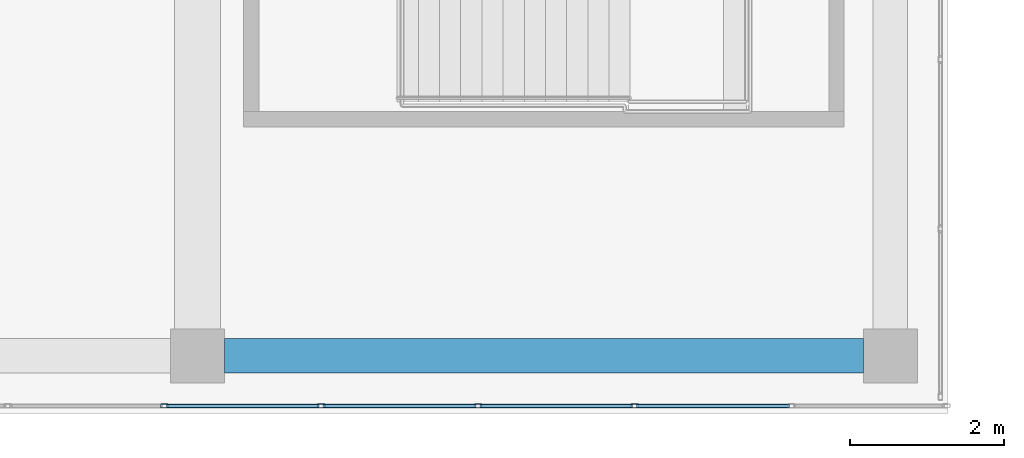
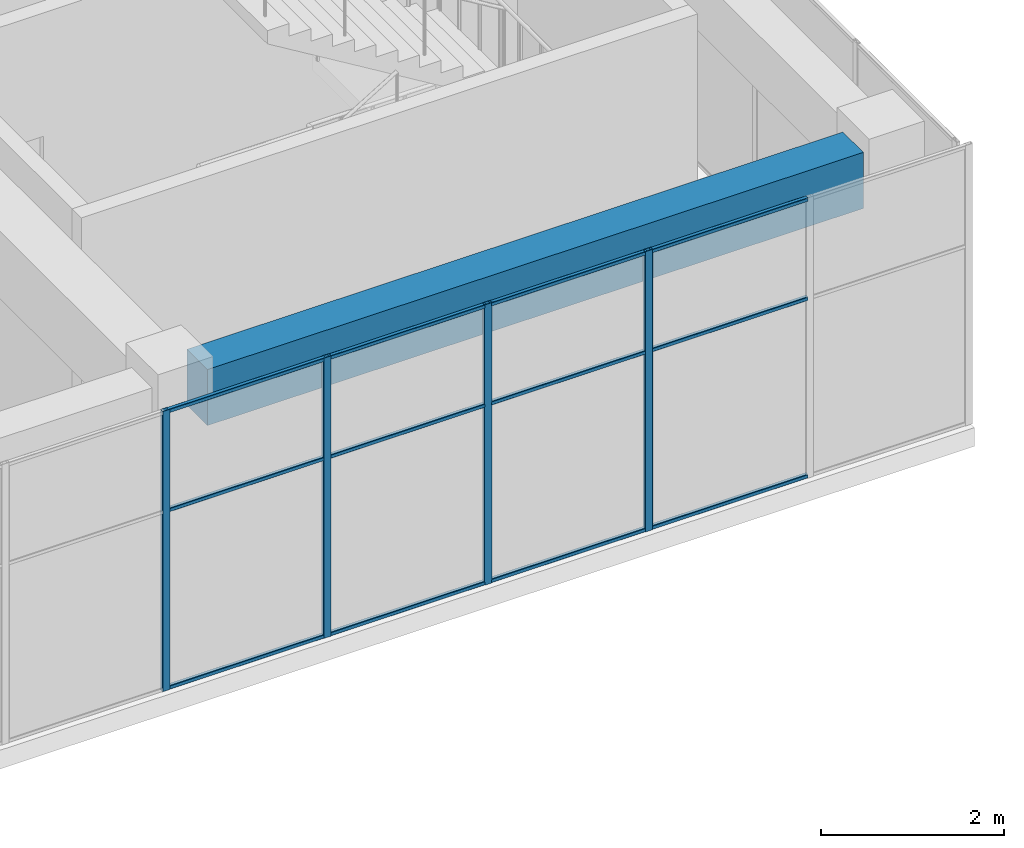
# One storey, part 18 of 43: 16 members, 1 beam, 1 element without a shape of its own.
"""IFC4 building model written with IfcOpenShell, lengths in metres."""

import ifcopenshell
import ifcopenshell.guid

model = None  # the IFC model being written
_history = None  # IfcOwnerHistory: only IFC2X3 demands one
_inside = {}  # id of a spatial element -> (the spatial element, [elements in it])
_under = {}  # id of a project, library or spatial element -> (it, [spatial elements below it])
_declared = {}  # id of a project -> (the project, [libraries it declares])
_typed = {}  # id of a type object -> (the type object, [elements of that type])
_made_of = {}  # id of a material, layer set ... -> (it, [elements and type objects made of it])


def new_model(schema):
    """Start an empty IFC model of exactly this schema.

    Asked for "IFC4X3", IfcOpenShell would pick the latest addendum, in which some entities
    have other attributes; the version numbers below select the first issue.
    IFC2X3 requires an IfcOwnerHistory on every rooted entity: one is made here for all.
    """
    global model, _history
    if schema == "IFC4X3":
        model = ifcopenshell.file(schema_version=(4, 3, 0, 0))
    else:
        model = ifcopenshell.file(schema=schema)
    _inside.clear()
    _under.clear()
    _declared.clear()
    _typed.clear()
    _made_of.clear()
    _history = None
    if model.schema == "IFC2X3":
        org = make("IfcOrganization", Name="unknown")
        user = make(
            "IfcPersonAndOrganization",
            ThePerson=make("IfcPerson", FamilyName="unknown"),
            TheOrganization=org,
        )
        app = make(
            "IfcApplication",
            ApplicationDeveloper=org,
            Version="unknown",
            ApplicationFullName="unknown",
            ApplicationIdentifier="unknown",
        )
        _history = make(
            "IfcOwnerHistory",
            OwningUser=user,
            OwningApplication=app,
            ChangeAction="ADDED",
            CreationDate=0,
        )
    return model


def make(cls, **values):
    """One entity of the class cls with the attributes given. An attribute that is None is left unset."""
    return model.create_entity(
        cls, **{name: value for name, value in values.items() if value is not None}
    )


def rooted(cls, **values):
    """An entity with a GlobalId (a new one), such as an element, a storey or a relation."""
    return make(cls, GlobalId=ifcopenshell.guid.new(), OwnerHistory=_history, **values)


def si_unit(unit_type, name, prefix=None):
    """IfcSIUnit, for example si_unit("LENGTHUNIT", "METRE", prefix="MILLI")."""
    return make("IfcSIUnit", UnitType=unit_type, Prefix=prefix, Name=name)


def assignment(units):
    """IfcUnitAssignment: the units of a project."""
    return None if units is None else make("IfcUnitAssignment", Units=units)


def point(xyz):
    """IfcCartesianPoint."""
    return None if xyz is None else make("IfcCartesianPoint", Coordinates=xyz)


def direction(xyz):
    """IfcDirection."""
    return None if xyz is None else make("IfcDirection", DirectionRatios=xyz)


def frame(location, z_axis=None, x_axis=None):
    """IfcAxis2Placement3D, a coordinate frame: its origin and axes. An axis left out is left unset."""
    return make(
        "IfcAxis2Placement3D",
        Location=point(location),
        Axis=direction(z_axis),
        RefDirection=direction(x_axis),
    )


def frame_2d(location, x_axis=None):
    """IfcAxis2Placement2D, a coordinate frame in the plane: its origin and x axis."""
    return make(
        "IfcAxis2Placement2D", Location=point(location), RefDirection=direction(x_axis)
    )


def origin():
    """The frame at (0, 0, 0) with its axes left unset."""
    return frame((0.0, 0.0, 0.0))


def origin_2d():
    """The frame at (0, 0) in the plane with its x axis left unset."""
    return frame_2d((0.0, 0.0))


def place(relative_to, where):
    """IfcLocalPlacement: puts the frame where relative to a parent placement (None: the world)."""
    return make(
        "IfcLocalPlacement", PlacementRelTo=relative_to, RelativePlacement=where
    )


def context(
    kind, dimensions, precision=None, world=None, true_north=None, identifier=None
):
    """IfcGeometricRepresentationContext, for example the 3D "Model" context."""
    return make(
        "IfcGeometricRepresentationContext",
        ContextIdentifier=identifier,
        ContextType=kind,
        CoordinateSpaceDimension=dimensions,
        Precision=precision,
        WorldCoordinateSystem=world,
        TrueNorth=true_north,
    )


def subcontext(parent, identifier, kind, view, scale=None):
    """IfcGeometricRepresentationSubContext, for example "Body" below "Model"."""
    return make(
        "IfcGeometricRepresentationSubContext",
        ContextIdentifier=identifier,
        ContextType=kind,
        ParentContext=parent,
        TargetScale=scale,
        TargetView=view,
    )


def project(units=None, contexts=None):
    """IfcProject with its units and contexts."""
    return rooted(
        "IfcProject",
        Name="project",
        RepresentationContexts=contexts,
        UnitsInContext=assignment(units),
    )


def spatial(cls, under=None, at=None, **own):
    """A site, building, storey or space (cls), placed at a placement, below another one or the project."""
    s = rooted(cls, ObjectPlacement=at, **own)
    if under is not None:
        _under.setdefault(under.id(), (under, []))[1].append(s)
    return s


def profile(cls, at=None, kind="AREA", **sizes):
    """A parametric profile (cls). Its sizes go by their IFC names, for example OverallWidth=200.0."""
    return make(cls, ProfileType=kind, Position=at, **sizes)


def rectangle(**sizes):
    """IfcRectangleProfileDef."""
    return profile("IfcRectangleProfileDef", **sizes)


def hollow_rectangle(**sizes):
    """IfcRectangleHollowProfileDef."""
    return profile("IfcRectangleHollowProfileDef", **sizes)


def extrude(swept, where, along, depth):
    """IfcExtrudedAreaSolid: the profile swept, set in the frame where, extruded along a direction by depth."""
    return make(
        "IfcExtrudedAreaSolid",
        SweptArea=swept,
        Position=where,
        ExtrudedDirection=direction(along),
        Depth=depth,
    )


def shape(context_of_items, identifier, shape_type, items):
    """IfcShapeRepresentation: the items that make up one representation, for example the "Body"."""
    return make(
        "IfcShapeRepresentation",
        ContextOfItems=context_of_items,
        RepresentationIdentifier=identifier,
        RepresentationType=shape_type,
        Items=items,
    )


def material(Name=None, Category=None):
    """IfcMaterial."""
    return make("IfcMaterial", Name=Name, Category=Category)


def layer(
    of_material, thickness, ventilated=None, Name=None, Category=None, Priority=None
):
    """IfcMaterialLayer: one layer of a wall or slab, of a material (None: an air gap)."""
    return make(
        "IfcMaterialLayer",
        Material=of_material,
        LayerThickness=thickness,
        IsVentilated=ventilated,
        Name=Name,
        Category=Category,
        Priority=Priority,
    )


def layer_set(layers, Name=None):
    """IfcMaterialLayerSet."""
    return make("IfcMaterialLayerSet", MaterialLayers=layers, LayerSetName=Name)


def material_profile(
    of_material, cross_section, Name=None, Category=None, Priority=None
):
    """IfcMaterialProfile: a cross section and its material."""
    return make(
        "IfcMaterialProfile",
        Name=Name,
        Material=of_material,
        Profile=cross_section,
        Priority=Priority,
        Category=Category,
    )


def profile_set(profiles, Name=None, composite=None):
    """IfcMaterialProfileSet."""
    return make(
        "IfcMaterialProfileSet",
        Name=Name,
        MaterialProfiles=profiles,
        CompositeProfile=composite,
    )


def made_of(thing, what):
    """Note that an element or type object is made of a material, layer set ...; save() writes the relation."""
    if what is not None:
        _made_of.setdefault(what.id(), (what, []))[1].append(thing)
    return thing


def type_object(cls, material=None, **own):
    """A type object (cls), such as IfcWallType, which elements share."""
    return made_of(rooted(cls, **own), material)


def element(
    cls,
    number,
    at=None,
    inside=None,
    cuts=None,
    type_object=None,
    material=None,
    context=None,
    identifier="Body",
    shape_type=None,
    held_by="IfcProductDefinitionShape",
    body=None,
    shapes=None,
    **own,
):
    """One element of the class cls, such as IfcWall. Its Tag is "e" and its number.

    at: its placement. inside: the storey or other place that contains it. cuts: it is an
    opening in that element (IfcRelVoidsElement). A single representation is given by context,
    identifier, shape_type and body (its items); several are given by shapes. held_by: the class
    of the entity that holds the representations. save() writes the other relations.
    """
    e = rooted(cls, Tag="e%d" % number, ObjectPlacement=at, **own)
    if body is not None:
        shapes = [shape(context, identifier, shape_type, body)]
    if shapes is not None:
        e.Representation = make(held_by, Representations=shapes)
    if inside is not None:
        _inside.setdefault(inside.id(), (inside, []))[1].append(e)
    if cuts is not None:
        rooted(
            "IfcRelVoidsElement", RelatingBuildingElement=cuts, RelatedOpeningElement=e
        )
    if type_object is not None:
        _typed.setdefault(type_object.id(), (type_object, []))[1].append(e)
    return made_of(e, material)


def aggregate(whole, parts):
    """IfcRelAggregates: a whole, such as a stair, and the parts it consists of."""
    return rooted("IfcRelAggregates", RelatingObject=whole, RelatedObjects=parts)


def save(model, path):
    """Write the relations noted so far, then the file.

    IfcRelAggregates (storeys below a building ...), IfcRelContainedInSpatialStructure (elements
    in a storey), IfcRelDefinesByType, IfcRelAssociatesMaterial and IfcRelDeclares: one each for
    every whole, place, type object, material and project.
    """
    for whole, parts in _under.values():
        aggregate(whole, parts)
    for where, things in _inside.values():
        rooted(
            "IfcRelContainedInSpatialStructure",
            RelatedElements=things,
            RelatingStructure=where,
        )
    for kind, things in _typed.values():
        rooted("IfcRelDefinesByType", RelatedObjects=things, RelatingType=kind)
    for what, things in _made_of.values():
        rooted("IfcRelAssociatesMaterial", RelatedObjects=things, RelatingMaterial=what)
    for by, libraries in _declared.values():
        rooted("IfcRelDeclares", RelatingContext=by, RelatedDefinitions=libraries)
    model.write(path)


model = new_model("IFC4")

# Units and contexts
model_context = context("Model", 3, precision=1e-05, world=origin(), true_north=direction((0.0, 1.0)))
body_context = subcontext(model_context, "Body", "Model", "MODEL_VIEW")
ifc_project = project(units=[si_unit("LENGTHUNIT", "METRE"), si_unit("AREAUNIT", "SQUARE_METRE"), si_unit("VOLUMEUNIT", "CUBIC_METRE"), si_unit("PLANEANGLEUNIT", "RADIAN"), si_unit("MASSUNIT", "GRAM", prefix="KILO")], contexts=[model_context])

# Site, building, storey
site_placement = place(None, origin())
site = spatial("IfcSite", under=ifc_project, at=site_placement, CompositionType="ELEMENT")
building_placement = place(site_placement, origin())
building = spatial("IfcBuilding", under=site, at=building_placement, Name="Tuart Plaza Theatre", CompositionType="ELEMENT")
storey_placement = place(building_placement, frame((0.0, 0.0, 33.5)))
storey = spatial("IfcBuildingStorey", under=building, at=storey_placement, Name="L08", CompositionType="ELEMENT", Elevation=33.5)

# Beam
ifc_material_1 = material(Name="Concrete N40 (40 MPa)", Category="concrete")
ifc_material_profile_1 = material_profile(ifc_material_1, rectangle(XDim=0.449951171875, YDim=0.75, at=origin_2d()), Name="BEAM 450x750 Concrete N40 (40 MPa)")
ifc_profile_set_1 = profile_set([ifc_material_profile_1], Name="Concrete N40 (40 MPa)")
beam_type = type_object("IfcBeamType", Name="BEAM 450x750 Concrete N40 (40 MPa)", PredefinedType="BEAM", material=ifc_profile_set_1)
beam_placement = place(storey_placement, frame((132.35009765625, 56.0, 3.375), z_axis=(1.0, 0.0, 0.0), x_axis=(0.0, 1.0, 0.0)))
element("IfcBeam", 1, at=beam_placement, inside=storey, type_object=beam_type, Name="RB269", PredefinedType="BEAM", context=body_context, shape_type="SweptSolid", body=[
    extrude(rectangle(XDim=0.449951171875, YDim=0.75, at=origin_2d()), origin(), (0.0, 0.0, 1.0), 8.2998046875),
])

# Curtain wall, members
ifc_material_2 = material(Name="Aluminium and glass", Category="aluminium")
ifc_layer = layer(ifc_material_2, 0.10009765625)
ifc_layer_set = layer_set([ifc_layer], Name="CURTAIN WALL 2000 module")
curtain_wall_type = type_object("IfcCurtainWallType", Name="CURTAIN WALL 2000 module", PredefinedType="NOTDEFINED", material=ifc_layer_set)
curtain_wall_placement = place(storey_placement, origin())
curtain_wall = element("IfcCurtainWall", 2, at=curtain_wall_placement, inside=storey, type_object=curtain_wall_type, Name="CW88", PredefinedType="NOTDEFINED")
ifc_material_3 = material(Name="Aluminium 6063-T5", Category="aluminium")
ifc_material_profile_2 = material_profile(ifc_material_3, hollow_rectangle(XDim=0.050048828125, YDim=0.10009765625, WallThickness=0.00390625, InnerFilletRadius=0.00390625, OuterFilletRadius=0.008056640625, at=origin_2d()), Name="RHS 100x50x4")
ifc_profile_set_2 = profile_set([ifc_material_profile_2], Name="Aluminium 6063-T5")
member_type_1 = type_object("IfcMemberType", Name="MULLION RHS 100x50x4", PredefinedType="MULLION", material=ifc_profile_set_2)
member_1_placement = place(storey_placement, frame((131.571533203125, 55.35009765625, 0.0), z_axis=(0.0, 0.0, 1.0), x_axis=(0.0, 1.0, 0.0)))
member_1 = element("IfcMember", 3, at=member_1_placement, type_object=member_type_1, Name="CW88 mullion 10", PredefinedType="MULLION", context=body_context, shape_type="SweptSolid", body=[
    extrude(hollow_rectangle(XDim=0.050048828125, YDim=0.10009765625, WallThickness=0.00390625, InnerFilletRadius=0.00390625, OuterFilletRadius=0.008056640625, at=origin_2d()), origin(), (0.0, 0.0, 1.0), 3.75),
])
member_2_placement = place(storey_placement, frame((133.607177734375, 55.35009765625, 0.0), z_axis=(0.0, 0.0, 1.0), x_axis=(0.0, 1.0, 0.0)))
member_2 = element("IfcMember", 4, at=member_2_placement, type_object=member_type_1, Name="CW88 mullion 11", PredefinedType="MULLION", context=body_context, shape_type="SweptSolid", body=[
    extrude(hollow_rectangle(XDim=0.050048828125, YDim=0.10009765625, WallThickness=0.00390625, InnerFilletRadius=0.00390625, OuterFilletRadius=0.008056640625, at=origin_2d()), origin(), (0.0, 0.0, 1.0), 3.75),
])
member_3_placement = place(storey_placement, frame((135.642822265625, 55.35009765625, 0.0), z_axis=(0.0, 0.0, 1.0), x_axis=(0.0, 1.0, 0.0)))
member_3 = element("IfcMember", 5, at=member_3_placement, type_object=member_type_1, Name="CW88 mullion 12", PredefinedType="MULLION", context=body_context, shape_type="SweptSolid", body=[
    extrude(hollow_rectangle(XDim=0.050048828125, YDim=0.10009765625, WallThickness=0.00390625, InnerFilletRadius=0.00390625, OuterFilletRadius=0.008056640625, at=origin_2d()), origin(), (0.0, 0.0, 1.0), 3.75),
])
member_4_placement = place(storey_placement, frame((137.678466796875, 55.35009765625, 0.0), z_axis=(0.0, 0.0, 1.0), x_axis=(0.0, 1.0, 0.0)))
member_4 = element("IfcMember", 6, at=member_4_placement, type_object=member_type_1, Name="CW88 mullion 13", PredefinedType="MULLION", context=body_context, shape_type="SweptSolid", body=[
    extrude(hollow_rectangle(XDim=0.050048828125, YDim=0.10009765625, WallThickness=0.00390625, InnerFilletRadius=0.00390625, OuterFilletRadius=0.008056640625, at=origin_2d()), origin(), (0.0, 0.0, 1.0), 3.75),
])
ifc_material_4 = material(Name="Aluminium 6063-T5", Category="aluminium")
ifc_material_profile_3 = material_profile(ifc_material_4, hollow_rectangle(XDim=0.050048828125, YDim=0.050048828125, WallThickness=0.00390625, InnerFilletRadius=0.00390625, OuterFilletRadius=0.008056640625, at=origin_2d()), Name="RHS 50x50x4")
ifc_profile_set_3 = profile_set([ifc_material_profile_3], Name="Aluminium 6063-T5")
member_type_2 = type_object("IfcMemberType", Name="TRANSOM RHS 50x50x4", PredefinedType="USERDEFINED", material=ifc_profile_set_3)
member_5_placement = place(storey_placement, frame((131.596435546875, 55.35009765625, 0.02490234375), z_axis=(1.0, 0.0, 0.0), x_axis=(0.0, 1.0, 0.0)))
member_5 = element("IfcMember", 7, at=member_5_placement, type_object=member_type_2, Name="CW88 transom 10.1", ObjectType="TRANSOM", PredefinedType="USERDEFINED", context=body_context, shape_type="SweptSolid", body=[
    extrude(hollow_rectangle(XDim=0.050048828125, YDim=0.050048828125, WallThickness=0.00390625, InnerFilletRadius=0.00390625, OuterFilletRadius=0.008056640625, at=origin_2d()), origin(), (0.0, 0.0, 1.0), 1.985595703125),
])
member_6_placement = place(storey_placement, frame((131.596435546875, 55.35009765625, 2.39990234375), z_axis=(1.0, 0.0, 0.0), x_axis=(0.0, 1.0, 0.0)))
member_6 = element("IfcMember", 8, at=member_6_placement, type_object=member_type_2, Name="CW88 transom 10.2", ObjectType="TRANSOM", PredefinedType="USERDEFINED", context=body_context, shape_type="SweptSolid", body=[
    extrude(hollow_rectangle(XDim=0.050048828125, YDim=0.050048828125, WallThickness=0.00390625, InnerFilletRadius=0.00390625, OuterFilletRadius=0.008056640625, at=origin_2d()), origin(), (0.0, 0.0, 1.0), 1.985595703125),
])
member_7_placement = place(storey_placement, frame((131.596435546875, 55.35009765625, 3.72509765625), z_axis=(1.0, 0.0, 0.0), x_axis=(0.0, 1.0, 0.0)))
member_7 = element("IfcMember", 9, at=member_7_placement, type_object=member_type_2, Name="CW88 transom 10.3", ObjectType="TRANSOM", PredefinedType="USERDEFINED", context=body_context, shape_type="SweptSolid", body=[
    extrude(hollow_rectangle(XDim=0.050048828125, YDim=0.050048828125, WallThickness=0.00390625, InnerFilletRadius=0.00390625, OuterFilletRadius=0.008056640625, at=origin_2d()), origin(), (0.0, 0.0, 1.0), 1.985595703125),
])
member_8_placement = place(storey_placement, frame((133.632080078125, 55.35009765625, 0.02490234375), z_axis=(1.0, 0.0, 0.0), x_axis=(0.0, 1.0, 0.0)))
member_8 = element("IfcMember", 10, at=member_8_placement, type_object=member_type_2, Name="CW88 transom 11.1", ObjectType="TRANSOM", PredefinedType="USERDEFINED", context=body_context, shape_type="SweptSolid", body=[
    extrude(hollow_rectangle(XDim=0.050048828125, YDim=0.050048828125, WallThickness=0.00390625, InnerFilletRadius=0.00390625, OuterFilletRadius=0.008056640625, at=origin_2d()), origin(), (0.0, 0.0, 1.0), 1.98583984375),
])
member_9_placement = place(storey_placement, frame((133.632080078125, 55.35009765625, 2.39990234375), z_axis=(1.0, 0.0, 0.0), x_axis=(0.0, 1.0, 0.0)))
member_9 = element("IfcMember", 11, at=member_9_placement, type_object=member_type_2, Name="CW88 transom 11.2", ObjectType="TRANSOM", PredefinedType="USERDEFINED", context=body_context, shape_type="SweptSolid", body=[
    extrude(hollow_rectangle(XDim=0.050048828125, YDim=0.050048828125, WallThickness=0.00390625, InnerFilletRadius=0.00390625, OuterFilletRadius=0.008056640625, at=origin_2d()), origin(), (0.0, 0.0, 1.0), 1.98583984375),
])
member_10_placement = place(storey_placement, frame((133.632080078125, 55.35009765625, 3.72509765625), z_axis=(1.0, 0.0, 0.0), x_axis=(0.0, 1.0, 0.0)))
member_10 = element("IfcMember", 12, at=member_10_placement, type_object=member_type_2, Name="CW88 transom 11.3", ObjectType="TRANSOM", PredefinedType="USERDEFINED", context=body_context, shape_type="SweptSolid", body=[
    extrude(hollow_rectangle(XDim=0.050048828125, YDim=0.050048828125, WallThickness=0.00390625, InnerFilletRadius=0.00390625, OuterFilletRadius=0.008056640625, at=origin_2d()), origin(), (0.0, 0.0, 1.0), 1.98583984375),
])
member_11_placement = place(storey_placement, frame((135.66796875, 55.35009765625, 0.02490234375), z_axis=(1.0, 0.0, 0.0), x_axis=(0.0, 1.0, 0.0)))
member_11 = element("IfcMember", 13, at=member_11_placement, type_object=member_type_2, Name="CW88 transom 12.1", ObjectType="TRANSOM", PredefinedType="USERDEFINED", context=body_context, shape_type="SweptSolid", body=[
    extrude(hollow_rectangle(XDim=0.050048828125, YDim=0.050048828125, WallThickness=0.00390625, InnerFilletRadius=0.00390625, OuterFilletRadius=0.008056640625, at=origin_2d()), origin(), (0.0, 0.0, 1.0), 1.985595703125),
])
member_12_placement = place(storey_placement, frame((135.66796875, 55.35009765625, 2.39990234375), z_axis=(1.0, 0.0, 0.0), x_axis=(0.0, 1.0, 0.0)))
member_12 = element("IfcMember", 14, at=member_12_placement, type_object=member_type_2, Name="CW88 transom 12.2", ObjectType="TRANSOM", PredefinedType="USERDEFINED", context=body_context, shape_type="SweptSolid", body=[
    extrude(hollow_rectangle(XDim=0.050048828125, YDim=0.050048828125, WallThickness=0.00390625, InnerFilletRadius=0.00390625, OuterFilletRadius=0.008056640625, at=origin_2d()), origin(), (0.0, 0.0, 1.0), 1.985595703125),
])
member_13_placement = place(storey_placement, frame((135.66796875, 55.35009765625, 3.72509765625), z_axis=(1.0, 0.0, 0.0), x_axis=(0.0, 1.0, 0.0)))
member_13 = element("IfcMember", 15, at=member_13_placement, type_object=member_type_2, Name="CW88 transom 12.3", ObjectType="TRANSOM", PredefinedType="USERDEFINED", context=body_context, shape_type="SweptSolid", body=[
    extrude(hollow_rectangle(XDim=0.050048828125, YDim=0.050048828125, WallThickness=0.00390625, InnerFilletRadius=0.00390625, OuterFilletRadius=0.008056640625, at=origin_2d()), origin(), (0.0, 0.0, 1.0), 1.985595703125),
])
member_14_placement = place(storey_placement, frame((137.70361328125, 55.35009765625, 0.02490234375), z_axis=(1.0, 0.0, 0.0), x_axis=(0.0, 1.0, 0.0)))
member_14 = element("IfcMember", 16, at=member_14_placement, type_object=member_type_2, Name="CW88 transom 13.1", ObjectType="TRANSOM", PredefinedType="USERDEFINED", context=body_context, shape_type="SweptSolid", body=[
    extrude(hollow_rectangle(XDim=0.050048828125, YDim=0.050048828125, WallThickness=0.00390625, InnerFilletRadius=0.00390625, OuterFilletRadius=0.008056640625, at=origin_2d()), origin(), (0.0, 0.0, 1.0), 1.985595703125),
])
member_15_placement = place(storey_placement, frame((137.70361328125, 55.35009765625, 2.39990234375), z_axis=(1.0, 0.0, 0.0), x_axis=(0.0, 1.0, 0.0)))
member_15 = element("IfcMember", 17, at=member_15_placement, type_object=member_type_2, Name="CW88 transom 13.2", ObjectType="TRANSOM", PredefinedType="USERDEFINED", context=body_context, shape_type="SweptSolid", body=[
    extrude(hollow_rectangle(XDim=0.050048828125, YDim=0.050048828125, WallThickness=0.00390625, InnerFilletRadius=0.00390625, OuterFilletRadius=0.008056640625, at=origin_2d()), origin(), (0.0, 0.0, 1.0), 1.985595703125),
])
member_16_placement = place(storey_placement, frame((137.70361328125, 55.35009765625, 3.72509765625), z_axis=(1.0, 0.0, 0.0), x_axis=(0.0, 1.0, 0.0)))
member_16 = element("IfcMember", 18, at=member_16_placement, type_object=member_type_2, Name="CW88 transom 13.3", ObjectType="TRANSOM", PredefinedType="USERDEFINED", context=body_context, shape_type="SweptSolid", body=[
    extrude(hollow_rectangle(XDim=0.050048828125, YDim=0.050048828125, WallThickness=0.00390625, InnerFilletRadius=0.00390625, OuterFilletRadius=0.008056640625, at=origin_2d()), origin(), (0.0, 0.0, 1.0), 1.985595703125),
])
aggregate(curtain_wall, [member_1, member_2, member_3, member_4, member_5, member_6, member_7, member_8, member_9, member_10, member_11, member_12, member_13, member_14, member_15, member_16])

save(model, "model.ifc")
